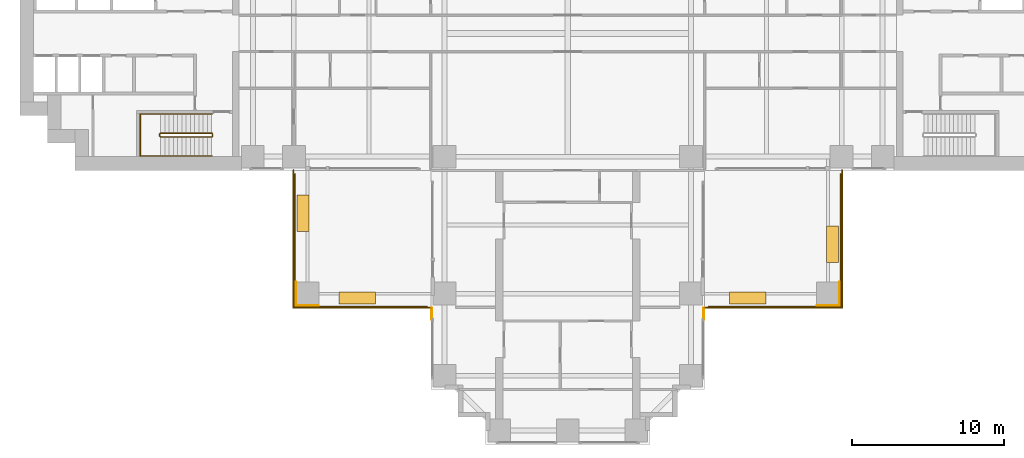
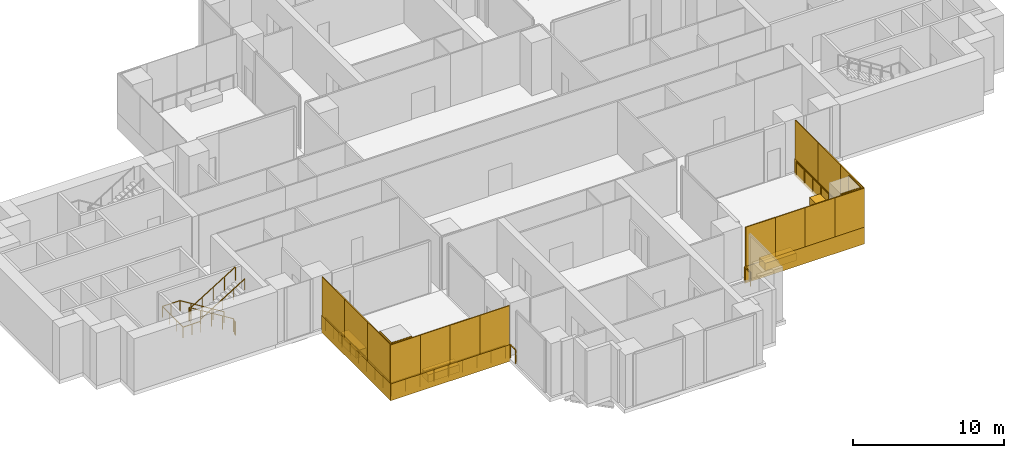
# One storey, part 13 of 15: 24 coverings, 6 railings.
"""IFC4 building model written with IfcOpenShell, lengths in metres."""

from ifc_helpers import new_model, si_unit, direction, frame, origin, origin_2d, place, context, subcontext, project, spatial, polyline, rectangle, outline, extrude, material, layer, layer_set, type_object, element, save


model = new_model("IFC4")

# Units and contexts
model_context = context("Model", 3, precision=1e-05, world=origin(), true_north=direction((0.0, 1.0)))
body_context = subcontext(model_context, "Body", "Model", "MODEL_VIEW")
ifc_project = project(units=[si_unit("LENGTHUNIT", "METRE"), si_unit("AREAUNIT", "SQUARE_METRE"), si_unit("VOLUMEUNIT", "CUBIC_METRE"), si_unit("PLANEANGLEUNIT", "RADIAN"), si_unit("MASSUNIT", "GRAM", prefix="KILO")], contexts=[model_context])

# Site, building, storey
site_placement = place(None, origin())
site = spatial("IfcSite", under=ifc_project, at=site_placement, CompositionType="ELEMENT")
building_placement = place(site_placement, origin())
building = spatial("IfcBuilding", under=site, at=building_placement, Name="Perihelion Cross Residences", CompositionType="ELEMENT")
storey_placement = place(building_placement, frame((0.0, 0.0, 32.0)))
storey = spatial("IfcBuildingStorey", under=building, at=storey_placement, Name="L04", CompositionType="ELEMENT", Elevation=32.0)

# Railings
ifc_material_1 = material(Name="Bronze anodised aluminium", Category="aluminium")
railing_type_1 = type_object("IfcRailingType", Name="Balcony guard 1100", PredefinedType="GUARDRAIL", material=ifc_material_1)
railing_1_placement = place(storey_placement, frame((17.93994140625, -9.25, 0.0)))
element("IfcRailing", 1, at=railing_1_placement, inside=storey, type_object=railing_type_1, Name="Guard GU1 L04 pocket south-east 1", PredefinedType="GUARDRAIL", context=body_context, shape_type="SweptSolid", body=[
    extrude(rectangle(XDim=0.048095703125, YDim=0.048095703125, at=origin_2d()), frame((0.0, 0.0, 1.076171875), z_axis=(0.0, -1.0, 0.0), x_axis=(1.0, 0.0, 0.0)), (0.0, 0.0, 1.0), 8.68994140625),
    extrude(rectangle(XDim=0.048095703125, YDim=0.048095703125, at=origin_2d()), frame((0.0, -8.68994140625, 1.076171875), z_axis=(-1.0, 0.0, 0.0), x_axis=(0.0, -1.0, 0.0)), (0.0, 0.0, 1.0), 8.68994140625),
    extrude(rectangle(XDim=0.0419921875, YDim=0.0419921875, at=origin_2d()), origin(), (0.0, 0.0, 1.0), 1.052001953125),
    extrude(rectangle(XDim=0.0419921875, YDim=0.0419921875, at=origin_2d()), frame((0.0, -1.086181640625, 0.0)), (0.0, 0.0, 1.0), 1.052001953125),
    extrude(rectangle(XDim=0.0419921875, YDim=0.0419921875, at=origin_2d()), frame((0.0, -2.17236328125, 0.0)), (0.0, 0.0, 1.0), 1.052001953125),
    extrude(rectangle(XDim=0.0419921875, YDim=0.0419921875, at=origin_2d()), frame((0.0, -3.2587890625, 0.0)), (0.0, 0.0, 1.0), 1.052001953125),
    extrude(rectangle(XDim=0.0419921875, YDim=0.0419921875, at=origin_2d()), frame((0.0, -4.344970703125, 0.0)), (0.0, 0.0, 1.0), 1.052001953125),
    extrude(rectangle(XDim=0.0419921875, YDim=0.0419921875, at=origin_2d()), frame((0.0, -5.43115234375, 0.0)), (0.0, 0.0, 1.0), 1.052001953125),
    extrude(rectangle(XDim=0.0419921875, YDim=0.0419921875, at=origin_2d()), frame((0.0, -6.517578125, 0.0)), (0.0, 0.0, 1.0), 1.052001953125),
    extrude(rectangle(XDim=0.0419921875, YDim=0.0419921875, at=origin_2d()), frame((0.0, -7.603759765625, 0.0)), (0.0, 0.0, 1.0), 1.052001953125),
    extrude(rectangle(XDim=0.0419921875, YDim=0.0419921875, at=origin_2d()), frame((0.0, -8.68994140625, 0.0)), (0.0, 0.0, 1.0), 1.052001953125),
    extrude(rectangle(XDim=0.0419921875, YDim=0.0419921875, at=origin_2d()), frame((-1.086181640625, -8.68994140625, 0.0)), (0.0, 0.0, 1.0), 1.052001953125),
    extrude(rectangle(XDim=0.0419921875, YDim=0.0419921875, at=origin_2d()), frame((-2.17236328125, -8.68994140625, 0.0)), (0.0, 0.0, 1.0), 1.052001953125),
    extrude(rectangle(XDim=0.0419921875, YDim=0.0419921875, at=origin_2d()), frame((-3.2587890625, -8.68994140625, 0.0)), (0.0, 0.0, 1.0), 1.052001953125),
    extrude(rectangle(XDim=0.0419921875, YDim=0.0419921875, at=origin_2d()), frame((-4.344970703125, -8.68994140625, 0.0)), (0.0, 0.0, 1.0), 1.052001953125),
    extrude(rectangle(XDim=0.0419921875, YDim=0.0419921875, at=origin_2d()), frame((-5.43115234375, -8.68994140625, 0.0)), (0.0, 0.0, 1.0), 1.052001953125),
    extrude(rectangle(XDim=0.0419921875, YDim=0.0419921875, at=origin_2d()), frame((-6.517578125, -8.68994140625, 0.0)), (0.0, 0.0, 1.0), 1.052001953125),
    extrude(rectangle(XDim=0.0419921875, YDim=0.0419921875, at=origin_2d()), frame((-7.603759765625, -8.68994140625, 0.0)), (0.0, 0.0, 1.0), 1.052001953125),
    extrude(rectangle(XDim=0.0419921875, YDim=0.0419921875, at=origin_2d()), frame((-8.68994140625, -8.68994140625, 0.0)), (0.0, 0.0, 1.0), 1.052001953125),
])
railing_2_placement = place(storey_placement, frame((-9.25, -17.93994140625, 0.0)))
element("IfcRailing", 2, at=railing_2_placement, inside=storey, type_object=railing_type_1, Name="Guard GU1 L04 pocket south-west 1", PredefinedType="GUARDRAIL", context=body_context, shape_type="SweptSolid", body=[
    extrude(rectangle(XDim=0.048095703125, YDim=0.048095703125, at=origin_2d()), frame((0.0, 0.0, 1.076171875), z_axis=(-1.0, 0.0, 0.0), x_axis=(0.0, -1.0, 0.0)), (0.0, 0.0, 1.0), 8.68994140625),
    extrude(rectangle(XDim=0.048095703125, YDim=0.048095703125, at=origin_2d()), frame((-8.68994140625, 0.0, 1.076171875), z_axis=(0.0, 1.0, 0.0), x_axis=(-1.0, 0.0, 0.0)), (0.0, 0.0, 1.0), 8.68994140625),
    extrude(rectangle(XDim=0.0419921875, YDim=0.0419921875, at=origin_2d()), origin(), (0.0, 0.0, 1.0), 1.052001953125),
    extrude(rectangle(XDim=0.0419921875, YDim=0.0419921875, at=origin_2d()), frame((-1.086181640625, 0.0, 0.0)), (0.0, 0.0, 1.0), 1.052001953125),
    extrude(rectangle(XDim=0.0419921875, YDim=0.0419921875, at=origin_2d()), frame((-2.17236328125, 0.0, 0.0)), (0.0, 0.0, 1.0), 1.052001953125),
    extrude(rectangle(XDim=0.0419921875, YDim=0.0419921875, at=origin_2d()), frame((-3.2587890625, 0.0, 0.0)), (0.0, 0.0, 1.0), 1.052001953125),
    extrude(rectangle(XDim=0.0419921875, YDim=0.0419921875, at=origin_2d()), frame((-4.344970703125, 0.0, 0.0)), (0.0, 0.0, 1.0), 1.052001953125),
    extrude(rectangle(XDim=0.0419921875, YDim=0.0419921875, at=origin_2d()), frame((-5.43115234375, 0.0, 0.0)), (0.0, 0.0, 1.0), 1.052001953125),
    extrude(rectangle(XDim=0.0419921875, YDim=0.0419921875, at=origin_2d()), frame((-6.517578125, 0.0, 0.0)), (0.0, 0.0, 1.0), 1.052001953125),
    extrude(rectangle(XDim=0.0419921875, YDim=0.0419921875, at=origin_2d()), frame((-7.603759765625, 0.0, 0.0)), (0.0, 0.0, 1.0), 1.052001953125),
    extrude(rectangle(XDim=0.0419921875, YDim=0.0419921875, at=origin_2d()), frame((-8.68994140625, 0.0, 0.0)), (0.0, 0.0, 1.0), 1.052001953125),
    extrude(rectangle(XDim=0.0419921875, YDim=0.0419921875, at=origin_2d()), frame((-8.68994140625, 1.086181640625, 0.0)), (0.0, 0.0, 1.0), 1.052001953125),
    extrude(rectangle(XDim=0.0419921875, YDim=0.0419921875, at=origin_2d()), frame((-8.68994140625, 2.17236328125, 0.0)), (0.0, 0.0, 1.0), 1.052001953125),
    extrude(rectangle(XDim=0.0419921875, YDim=0.0419921875, at=origin_2d()), frame((-8.68994140625, 3.2587890625, 0.0)), (0.0, 0.0, 1.0), 1.052001953125),
    extrude(rectangle(XDim=0.0419921875, YDim=0.0419921875, at=origin_2d()), frame((-8.68994140625, 4.344970703125, 0.0)), (0.0, 0.0, 1.0), 1.052001953125),
    extrude(rectangle(XDim=0.0419921875, YDim=0.0419921875, at=origin_2d()), frame((-8.68994140625, 5.43115234375, 0.0)), (0.0, 0.0, 1.0), 1.052001953125),
    extrude(rectangle(XDim=0.0419921875, YDim=0.0419921875, at=origin_2d()), frame((-8.68994140625, 6.517578125, 0.0)), (0.0, 0.0, 1.0), 1.052001953125),
    extrude(rectangle(XDim=0.0419921875, YDim=0.0419921875, at=origin_2d()), frame((-8.68994140625, 7.603759765625, 0.0)), (0.0, 0.0, 1.0), 1.052001953125),
    extrude(rectangle(XDim=0.0419921875, YDim=0.0419921875, at=origin_2d()), frame((-8.68994140625, 8.68994140625, 0.0)), (0.0, 0.0, 1.0), 1.052001953125),
])
railing_3_placement = place(storey_placement, frame((-8.93994140625, -18.050048828125, 0.0)))
element("IfcRailing", 3, at=railing_3_placement, inside=storey, type_object=railing_type_1, Name="Guard GU1 L04 edge 1 1 1", PredefinedType="GUARDRAIL", context=body_context, shape_type="SweptSolid", body=[
    extrude(rectangle(XDim=0.048095703125, YDim=0.048095703125, at=origin_2d()), frame((0.0, 0.0, 1.076171875), z_axis=(0.0, -1.0, 0.0), x_axis=(1.0, 0.0, 0.0)), (0.0, 0.0, 1.0), 0.75),
    extrude(rectangle(XDim=0.0419921875, YDim=0.0419921875, at=origin_2d()), origin(), (0.0, 0.0, 1.0), 1.052001953125),
    extrude(rectangle(XDim=0.0419921875, YDim=0.0419921875, at=origin_2d()), frame((0.0, -0.75, 0.0)), (0.0, 0.0, 1.0), 1.052001953125),
])
railing_4_placement = place(storey_placement, frame((8.93994140625, -18.800048828125, 0.0)))
element("IfcRailing", 4, at=railing_4_placement, inside=storey, type_object=railing_type_1, Name="Guard GU1 L04 edge 1 1 6", PredefinedType="GUARDRAIL", context=body_context, shape_type="SweptSolid", body=[
    extrude(rectangle(XDim=0.048095703125, YDim=0.048095703125, at=origin_2d()), frame((0.0, 0.0, 1.076171875), z_axis=(0.0, 1.0, 0.0), x_axis=(-1.0, 0.0, 0.0)), (0.0, 0.0, 1.0), 0.75),
    extrude(rectangle(XDim=0.0419921875, YDim=0.0419921875, at=origin_2d()), origin(), (0.0, 0.0, 1.0), 1.052001953125),
    extrude(rectangle(XDim=0.0419921875, YDim=0.0419921875, at=origin_2d()), frame((0.0, 0.75, 0.0)), (0.0, 0.0, 1.0), 1.052001953125),
])

# Coverings
ifc_material_2 = material(Name="Bronze anodised aluminium", Category="aluminium")
ifc_layer_1 = layer(ifc_material_2, 0.0400390625)
ifc_layer_set_1 = layer_set([ifc_layer_1], Name="Bronze column casing 40")
covering_type_1 = type_object("IfcCoveringType", Name="Bronze column casing 40", PredefinedType="CLADDING", material=ifc_layer_set_1)
covering_1_placement = place(storey_placement, frame((-17.8701171875, -17.10009765625, -0.2998046875), z_axis=(0.0, 0.0, 1.0), x_axis=(1.0, 0.0, 0.0)))
element("IfcCovering", 5, at=covering_1_placement, inside=storey, type_object=covering_type_1, Name="Cladding CC1 L04 casing east-west no. 1", PredefinedType="CLADDING", context=body_context, shape_type="SweptSolid", body=[
    extrude(rectangle(XDim=0.0400390625, YDim=1.580078125, at=origin_2d()), origin(), (0.0, 0.0, 1.0), 4.550048828125),
])
covering_2_placement = place(storey_placement, frame((-17.10009765625, -17.8701171875, -0.2998046875), z_axis=(0.0, 0.0, 1.0), x_axis=(1.0, 0.0, 0.0)))
element("IfcCovering", 6, at=covering_2_placement, inside=storey, type_object=covering_type_1, Name="Cladding CC1 L04 casing north-south no. 1", PredefinedType="CLADDING", context=body_context, shape_type="SweptSolid", body=[
    extrude(rectangle(XDim=1.5, YDim=0.0400390625, at=origin_2d()), origin(), (0.0, 0.0, 1.0), 4.550048828125),
])
covering_3_placement = place(storey_placement, frame((17.8701171875, -17.10009765625, -0.2998046875), z_axis=(0.0, 0.0, 1.0), x_axis=(1.0, 0.0, 0.0)))
element("IfcCovering", 7, at=covering_3_placement, inside=storey, type_object=covering_type_1, Name="Cladding CC1 L04 casing east-west no. 3", PredefinedType="CLADDING", context=body_context, shape_type="SweptSolid", body=[
    extrude(rectangle(XDim=0.0400390625, YDim=1.580078125, at=origin_2d()), origin(), (0.0, 0.0, 1.0), 4.550048828125),
])
covering_4_placement = place(storey_placement, frame((17.10009765625, -17.8701171875, -0.2998046875), z_axis=(0.0, 0.0, 1.0), x_axis=(1.0, 0.0, 0.0)))
element("IfcCovering", 8, at=covering_4_placement, inside=storey, type_object=covering_type_1, Name="Cladding CC1 L04 casing north-south no. 3", PredefinedType="CLADDING", context=body_context, shape_type="SweptSolid", body=[
    extrude(rectangle(XDim=1.5, YDim=0.0400390625, at=origin_2d()), origin(), (0.0, 0.0, 1.0), 4.550048828125),
])
ifc_material_3 = material(Name="Precast concrete C40/50", Category="concrete")
covering_type_2 = type_object("IfcCoveringType", Name="Planter box 2400", PredefinedType="USERDEFINED", material=ifc_material_3)
for number, where, z_axis, x_axis, name in (
    (9, (17.389892578125, -13.85009765625, 0.0), (0.0, 0.0, 1.0), (0.0, -1.0, 0.0), "Planter PT1 L04 pocket south-east 1"),
    (10, (11.830078125, -17.389892578125, 0.0), (0.0, 0.0, 1.0), (-1.0, 0.0, 0.0), "Planter PT1 L04 pocket south-east 2"),
    (11, (-13.85009765625, -17.389892578125, 0.0), (0.0, 0.0, 1.0), (-1.0, 0.0, 0.0), "Planter PT1 L04 pocket south-west 1"),
    (12, (-17.389892578125, -11.830078125, 0.0), (0.0, 0.0, 1.0), (0.0, 1.0, 0.0), "Planter PT1 L04 pocket south-west 2"),
):
    element("IfcCovering", number, at=place(storey_placement, frame(where, z_axis=z_axis, x_axis=x_axis)), inside=storey, type_object=covering_type_2, Name=name, ObjectType="PLANTER", PredefinedType="USERDEFINED", context=body_context, shape_type="SweptSolid", body=[
        extrude(rectangle(XDim=2.39990234375, YDim=0.800048828125, at=origin_2d()), origin(), (0.0, 0.0, 1.0), 0.60009765625),
    ])
ifc_material_4 = material(Name="Bronze anodised aluminium", Category="aluminium")
ifc_layer_2 = layer(ifc_material_4, 0.070068359375)
ifc_layer_set_2 = layer_set([ifc_layer_2], Name="Pocket fascia 1350")
covering_type_3 = type_object("IfcCoveringType", Name="Pocket fascia 1350", PredefinedType="CLADDING", material=ifc_layer_set_2)
covering_5_placement = place(storey_placement, frame((0.0, 0.0, -0.25)))
element("IfcCovering", 13, at=covering_5_placement, inside=storey, type_object=covering_type_3, Name="Fascia BF2 L04 pocket south-east 1", PredefinedType="CLADDING", context=body_context, shape_type="SweptSolid", body=[
    extrude(outline(polyline([(8.929931640625, -18.070068359375), (18.070068359375, -18.070068359375), (18.070068359375, -8.929931640625), (18.0, -8.929931640625), (18.0, -9.0), (18.0, -9.0), (18.0, -18.0), (9.0, -18.0), (9.0, -18.0), (8.929931640625, -18.0), (8.929931640625, -18.070068359375)])), origin(), (0.0, 0.0, 1.0), 1.35009765625),
])
covering_6_placement = place(storey_placement, frame((0.0, 0.0, -0.25)))
element("IfcCovering", 14, at=covering_6_placement, inside=storey, type_object=covering_type_3, Name="Fascia BF2 L04 pocket south-west 1", PredefinedType="CLADDING", context=body_context, shape_type="SweptSolid", body=[
    extrude(outline(polyline([(-18.070068359375, -18.070068359375), (-8.929931640625, -18.070068359375), (-8.929931640625, -18.0), (-9.0, -18.0), (-9.0, -18.0), (-18.0, -18.0), (-18.0, -9.0), (-18.0, -9.0), (-18.0, -8.929931640625), (-18.070068359375, -8.929931640625), (-18.070068359375, -18.070068359375)])), origin(), (0.0, 0.0, 1.0), 1.35009765625),
])
ifc_material_5 = material(Name="Bronze perforated aluminium", Category="aluminium")
ifc_layer_3 = layer(ifc_material_5, 0.070068359375)
ifc_layer_set_3 = layer_set([ifc_layer_3], Name="Pocket solar screen, bronze perforated")
covering_type_4 = type_object("IfcCoveringType", Name="Pocket solar screen, bronze perforated", PredefinedType="CLADDING", material=ifc_layer_set_3)
covering_7_placement = place(storey_placement, frame((0.0, 0.0, 1.10009765625)))
element("IfcCovering", 15, at=covering_7_placement, inside=storey, type_object=covering_type_4, Name="Solar screen PS1 L04 pocket south-east no. 1", PredefinedType="CLADDING", context=body_context, shape_type="SweptSolid", body=[
    extrude(outline(polyline([(18.070068359375, -18.0), (18.070068359375, -15.0), (18.0, -15.0), (18.0, -18.0), (18.070068359375, -18.0)])), origin(), (0.0, 0.0, 1.0), 3.14990234375),
])
covering_8_placement = place(storey_placement, frame((0.0, 0.0, 1.10009765625)))
element("IfcCovering", 16, at=covering_8_placement, inside=storey, type_object=covering_type_4, Name="Solar screen PS1 L04 pocket south-east no. 2", PredefinedType="CLADDING", context=body_context, shape_type="SweptSolid", body=[
    extrude(outline(polyline([(18.070068359375, -15.0), (18.070068359375, -12.0), (18.0, -12.0), (18.0, -15.0), (18.070068359375, -15.0)])), origin(), (0.0, 0.0, 1.0), 3.14990234375),
])
covering_9_placement = place(storey_placement, frame((0.0, 0.0, 1.10009765625)))
element("IfcCovering", 17, at=covering_9_placement, inside=storey, type_object=covering_type_4, Name="Solar screen PS1 L04 pocket south-east no. 3", PredefinedType="CLADDING", context=body_context, shape_type="SweptSolid", body=[
    extrude(outline(polyline([(18.070068359375, -12.0), (18.070068359375, -9.0), (18.0, -9.0), (18.0, -12.0), (18.070068359375, -12.0)])), origin(), (0.0, 0.0, 1.0), 3.14990234375),
])
covering_10_placement = place(storey_placement, frame((0.0, 0.0, 1.10009765625)))
element("IfcCovering", 18, at=covering_10_placement, inside=storey, type_object=covering_type_4, Name="Solar screen PS1 L04 pocket south-east no. 4", PredefinedType="CLADDING", context=body_context, shape_type="SweptSolid", body=[
    extrude(outline(polyline([(11.267578125, -18.070068359375), (11.267578125, -18.0), (9.0, -18.0), (9.0, -18.070068359375), (11.267578125, -18.070068359375)])), origin(), (0.0, 0.0, 1.0), 3.14990234375),
])
covering_11_placement = place(storey_placement, frame((0.0, 0.0, 1.10009765625)))
element("IfcCovering", 19, at=covering_11_placement, inside=storey, type_object=covering_type_4, Name="Solar screen PS1 L04 pocket south-east no. 5", PredefinedType="CLADDING", context=body_context, shape_type="SweptSolid", body=[
    extrude(outline(polyline([(13.534912109375, -18.070068359375), (13.534912109375, -18.0), (11.267578125, -18.0), (11.267578125, -18.070068359375), (13.534912109375, -18.070068359375)])), origin(), (0.0, 0.0, 1.0), 3.14990234375),
])
covering_12_placement = place(storey_placement, frame((0.0, 0.0, 1.10009765625)))
element("IfcCovering", 20, at=covering_12_placement, inside=storey, type_object=covering_type_4, Name="Solar screen PS1 L04 pocket south-east no. 6", PredefinedType="CLADDING", context=body_context, shape_type="SweptSolid", body=[
    extrude(outline(polyline([(15.802490234375, -18.070068359375), (15.802490234375, -18.0), (13.534912109375, -18.0), (13.534912109375, -18.070068359375), (15.802490234375, -18.070068359375)])), origin(), (0.0, 0.0, 1.0), 3.14990234375),
])
covering_13_placement = place(storey_placement, frame((0.0, 0.0, 1.10009765625)))
element("IfcCovering", 21, at=covering_13_placement, inside=storey, type_object=covering_type_4, Name="Solar screen PS1 L04 pocket south-east no. 7", PredefinedType="CLADDING", context=body_context, shape_type="SweptSolid", body=[
    extrude(outline(polyline([(18.070068359375, -18.070068359375), (18.070068359375, -18.0), (15.802490234375, -18.0), (15.802490234375, -18.070068359375), (18.070068359375, -18.070068359375)])), origin(), (0.0, 0.0, 1.0), 3.14990234375),
])
covering_14_placement = place(storey_placement, frame((0.0, 0.0, 1.10009765625)))
element("IfcCovering", 22, at=covering_14_placement, inside=storey, type_object=covering_type_4, Name="Solar screen PS1 L04 pocket south-west no. 1", PredefinedType="CLADDING", context=body_context, shape_type="SweptSolid", body=[
    extrude(outline(polyline([(-18.0, -18.0), (-18.0, -15.0), (-18.070068359375, -15.0), (-18.070068359375, -18.0), (-18.0, -18.0)])), origin(), (0.0, 0.0, 1.0), 3.14990234375),
])
covering_15_placement = place(storey_placement, frame((0.0, 0.0, 1.10009765625)))
element("IfcCovering", 23, at=covering_15_placement, inside=storey, type_object=covering_type_4, Name="Solar screen PS1 L04 pocket south-west no. 2", PredefinedType="CLADDING", context=body_context, shape_type="SweptSolid", body=[
    extrude(outline(polyline([(-18.0, -15.0), (-18.0, -12.0), (-18.070068359375, -12.0), (-18.070068359375, -15.0), (-18.0, -15.0)])), origin(), (0.0, 0.0, 1.0), 3.14990234375),
])
covering_16_placement = place(storey_placement, frame((0.0, 0.0, 1.10009765625)))
element("IfcCovering", 24, at=covering_16_placement, inside=storey, type_object=covering_type_4, Name="Solar screen PS1 L04 pocket south-west no. 3", PredefinedType="CLADDING", context=body_context, shape_type="SweptSolid", body=[
    extrude(outline(polyline([(-18.0, -12.0), (-18.0, -9.0), (-18.070068359375, -9.0), (-18.070068359375, -12.0), (-18.0, -12.0)])), origin(), (0.0, 0.0, 1.0), 3.14990234375),
])
covering_17_placement = place(storey_placement, frame((0.0, 0.0, 1.10009765625)))
element("IfcCovering", 25, at=covering_17_placement, inside=storey, type_object=covering_type_4, Name="Solar screen PS1 L04 pocket south-west no. 4", PredefinedType="CLADDING", context=body_context, shape_type="SweptSolid", body=[
    extrude(outline(polyline([(-15.802490234375, -18.070068359375), (-15.802490234375, -18.0), (-18.070068359375, -18.0), (-18.070068359375, -18.070068359375), (-15.802490234375, -18.070068359375)])), origin(), (0.0, 0.0, 1.0), 3.14990234375),
])
covering_18_placement = place(storey_placement, frame((0.0, 0.0, 1.10009765625)))
element("IfcCovering", 26, at=covering_18_placement, inside=storey, type_object=covering_type_4, Name="Solar screen PS1 L04 pocket south-west no. 5", PredefinedType="CLADDING", context=body_context, shape_type="SweptSolid", body=[
    extrude(outline(polyline([(-13.534912109375, -18.070068359375), (-13.534912109375, -18.0), (-15.802490234375, -18.0), (-15.802490234375, -18.070068359375), (-13.534912109375, -18.070068359375)])), origin(), (0.0, 0.0, 1.0), 3.14990234375),
])
covering_19_placement = place(storey_placement, frame((0.0, 0.0, 1.10009765625)))
element("IfcCovering", 27, at=covering_19_placement, inside=storey, type_object=covering_type_4, Name="Solar screen PS1 L04 pocket south-west no. 6", PredefinedType="CLADDING", context=body_context, shape_type="SweptSolid", body=[
    extrude(outline(polyline([(-11.267578125, -18.070068359375), (-11.267578125, -18.0), (-13.534912109375, -18.0), (-13.534912109375, -18.070068359375), (-11.267578125, -18.070068359375)])), origin(), (0.0, 0.0, 1.0), 3.14990234375),
])
covering_20_placement = place(storey_placement, frame((0.0, 0.0, 1.10009765625)))
element("IfcCovering", 28, at=covering_20_placement, inside=storey, type_object=covering_type_4, Name="Solar screen PS1 L04 pocket south-west no. 7", PredefinedType="CLADDING", context=body_context, shape_type="SweptSolid", body=[
    extrude(outline(polyline([(-9.0, -18.070068359375), (-9.0, -18.0), (-11.267578125, -18.0), (-11.267578125, -18.070068359375), (-9.0, -18.070068359375)])), origin(), (0.0, 0.0, 1.0), 3.14990234375),
])

# Railings
ifc_material_6 = material(Name="Stainless steel", Category="steel")
railing_type_2 = type_object("IfcRailingType", Name="Stair guard 1100", PredefinedType="GUARDRAIL", material=ifc_material_6)
railing_5_placement = place(storey_placement, frame((-23.35009765625, -6.75, 0.0)))
element("IfcRailing", 29, at=railing_5_placement, inside=storey, type_object=railing_type_2, Name="L04 ST-W2 stair guard 1", PredefinedType="GUARDRAIL", context=body_context, shape_type="SweptSolid", body=[
    extrude(rectangle(XDim=0.048095703125, YDim=0.048095703125, at=origin_2d()), frame((0.0, 0.0, 1.076171875), z_axis=(0.0, 1.0, 0.0), x_axis=(-1.0, 0.0, 0.0)), (0.0, 0.0, 1.0), 0.14990234375),
    extrude(rectangle(XDim=0.048095703125, YDim=0.048095703125, at=origin_2d()), frame((0.0, 0.14990234375, 1.076171875), z_axis=(-0.266417085129, 0.267723051232, 0.925929967433), x_axis=(-0.708833529934, -0.705375805398, 0.0)), (0.0, 0.0, 1.0), 0.18701171875),
    extrude(rectangle(XDim=0.048095703125, YDim=0.048095703125, at=origin_2d()), frame((-0.0498046875, 0.199951171875, 1.2490234375), z_axis=(-0.850623216509, 0.0, 0.525775754039), x_axis=(0.0, -1.0, 0.0)), (0.0, 0.0, 1.0), 3.9501953125),
    extrude(rectangle(XDim=0.048095703125, YDim=0.048095703125, at=origin_2d()), frame((-3.409912109375, 0.199951171875, 3.326171875), z_axis=(-0.707106781187, -0.707106781187, 0.0), x_axis=(0.707106781187, -0.707106781187, 0.0)), (0.0, 0.0, 1.0), 0.07080078125),
    extrude(rectangle(XDim=0.048095703125, YDim=0.048095703125, at=origin_2d()), frame((-3.4599609375, 0.14990234375, 3.326171875), z_axis=(0.0, -1.0, 0.0), x_axis=(1.0, 0.0, 0.0)), (0.0, 0.0, 1.0), 0.14990234375),
    extrude(rectangle(XDim=0.048095703125, YDim=0.048095703125, at=origin_2d()), frame((-3.4599609375, 0.0, 3.326171875), z_axis=(0.267629722418, -0.267629722418, 0.925607186314), x_axis=(0.707106781187, 0.707106781187, 0.0)), (0.0, 0.0, 1.0), 0.18701171875),
    extrude(rectangle(XDim=0.048095703125, YDim=0.048095703125, at=origin_2d()), frame((-3.409912109375, -0.050048828125, 3.4990234375), z_axis=(0.850623216509, 0.0, 0.525775754039), x_axis=(0.0, 1.0, 0.0)), (0.0, 0.0, 1.0), 3.9501953125),
    extrude(rectangle(XDim=0.0419921875, YDim=0.0419921875, at=origin_2d()), origin(), (0.0, 0.0, 1.0), 1.052001953125),
    extrude(rectangle(XDim=0.0419921875, YDim=0.0419921875, at=origin_2d()), frame((0.0, 0.14990234375, 0.0)), (0.0, 0.0, 1.0), 1.052001953125),
    extrude(rectangle(XDim=0.0419921875, YDim=0.0419921875, at=origin_2d()), frame((-0.0498046875, 0.199951171875, 0.173095703125)), (0.0, 0.0, 1.0), 1.052001953125),
    extrude(rectangle(XDim=0.0419921875, YDim=0.0419921875, at=origin_2d()), frame((-0.889892578125, 0.199951171875, 0.6923828125)), (0.0, 0.0, 1.0), 1.052001953125),
    extrude(rectangle(XDim=0.0419921875, YDim=0.0419921875, at=origin_2d()), frame((-1.72998046875, 0.199951171875, 1.21142578125)), (0.0, 0.0, 1.0), 1.052001953125),
    extrude(rectangle(XDim=0.0419921875, YDim=0.0419921875, at=origin_2d()), frame((-2.56982421875, 0.199951171875, 1.730712890625)), (0.0, 0.0, 1.0), 1.052001953125),
    extrude(rectangle(XDim=0.0419921875, YDim=0.0419921875, at=origin_2d()), frame((-3.409912109375, 0.199951171875, 2.25)), (0.0, 0.0, 1.0), 1.052001953125),
    extrude(rectangle(XDim=0.0419921875, YDim=0.0419921875, at=origin_2d()), frame((-3.4599609375, 0.14990234375, 2.25)), (0.0, 0.0, 1.0), 1.052001953125),
    extrude(rectangle(XDim=0.0419921875, YDim=0.0419921875, at=origin_2d()), frame((-3.4599609375, 0.0, 2.25)), (0.0, 0.0, 1.0), 1.052001953125),
    extrude(rectangle(XDim=0.0419921875, YDim=0.0419921875, at=origin_2d()), frame((-3.409912109375, -0.050048828125, 2.423095703125)), (0.0, 0.0, 1.0), 1.052001953125),
    extrude(rectangle(XDim=0.0419921875, YDim=0.0419921875, at=origin_2d()), frame((-2.56982421875, -0.050048828125, 2.9423828125)), (0.0, 0.0, 1.0), 1.052001953125),
    extrude(rectangle(XDim=0.0419921875, YDim=0.0419921875, at=origin_2d()), frame((-1.72998046875, -0.050048828125, 3.46142578125)), (0.0, 0.0, 1.0), 1.052001953125),
    extrude(rectangle(XDim=0.0419921875, YDim=0.0419921875, at=origin_2d()), frame((-0.889892578125, -0.050048828125, 3.980712890625)), (0.0, 0.0, 1.0), 1.052001953125),
    extrude(rectangle(XDim=0.0419921875, YDim=0.0419921875, at=origin_2d()), frame((-0.0498046875, -0.050048828125, 4.5)), (0.0, 0.0, 1.0), 1.052001953125),
])
ifc_material_7 = material(Name="Stainless steel", Category="steel")
railing_type_3 = type_object("IfcRailingType", Name="Stair handrail 900", PredefinedType="HANDRAIL", material=ifc_material_7)
railing_6_placement = place(storey_placement, frame((-23.39990234375, -5.300048828125, 0.173095703125)))
element("IfcRailing", 30, at=railing_6_placement, inside=storey, type_object=railing_type_3, Name="L04 ST-W2 stair handrail 1", PredefinedType="HANDRAIL", context=body_context, shape_type="SweptSolid", body=[
    extrude(rectangle(XDim=0.048095703125, YDim=0.048095703125, at=origin_2d()), frame((0.0, 0.0, 0.8759765625), z_axis=(-0.850623216509, 0.0, 0.525775754039), x_axis=(0.0, -1.0, 0.0)), (0.0, 0.0, 1.0), 3.9501953125),
    extrude(rectangle(XDim=0.048095703125, YDim=0.048095703125, at=origin_2d()), frame((-3.360107421875, 0.0, 2.95263671875), z_axis=(-1.0, 0.0, 0.0), x_axis=(0.0, -1.0, 0.0)), (0.0, 0.0, 1.0), 1.340087890625),
    extrude(rectangle(XDim=0.048095703125, YDim=0.048095703125, at=origin_2d()), frame((-4.7001953125, 0.0, 2.95263671875), z_axis=(0.0, -1.0, 0.0), x_axis=(1.0, 0.0, 0.0)), (0.0, 0.0, 1.0), 2.75),
    extrude(rectangle(XDim=0.048095703125, YDim=0.048095703125, at=origin_2d()), frame((-4.7001953125, -2.75, 2.95263671875), z_axis=(1.0, 0.0, 0.0), x_axis=(0.0, 1.0, 0.0)), (0.0, 0.0, 1.0), 1.340087890625),
    extrude(rectangle(XDim=0.048095703125, YDim=0.048095703125, at=origin_2d()), frame((-3.360107421875, -2.75, 2.95263671875), z_axis=(0.0, 0.0, 1.0), x_axis=(1.0, 0.0, 0.0)), (0.0, 0.0, 1.0), 0.173095703125),
    extrude(rectangle(XDim=0.048095703125, YDim=0.048095703125, at=origin_2d()), frame((-3.360107421875, -2.75, 3.1259765625), z_axis=(0.850623216509, 0.0, 0.525775754039), x_axis=(0.0, 1.0, 0.0)), (0.0, 0.0, 1.0), 3.9501953125),
    extrude(rectangle(XDim=0.0419921875, YDim=0.0419921875, at=origin_2d()), origin(), (0.0, 0.0, 1.0), 0.851806640625),
    extrude(rectangle(XDim=0.0419921875, YDim=0.0419921875, at=origin_2d()), frame((-0.840087890625, 0.0, 0.519287109375)), (0.0, 0.0, 1.0), 0.851806640625),
    extrude(rectangle(XDim=0.0419921875, YDim=0.0419921875, at=origin_2d()), frame((-1.68017578125, 0.0, 1.03857421875)), (0.0, 0.0, 1.0), 0.851806640625),
    extrude(rectangle(XDim=0.0419921875, YDim=0.0419921875, at=origin_2d()), frame((-2.52001953125, 0.0, 1.5576171875)), (0.0, 0.0, 1.0), 0.851806640625),
    extrude(rectangle(XDim=0.0419921875, YDim=0.0419921875, at=origin_2d()), frame((-3.360107421875, 0.0, 2.076904296875)), (0.0, 0.0, 1.0), 0.851806640625),
    extrude(rectangle(XDim=0.0419921875, YDim=0.0419921875, at=origin_2d()), frame((-4.0302734375, 0.0, 2.076904296875)), (0.0, 0.0, 1.0), 0.851806640625),
    extrude(rectangle(XDim=0.0419921875, YDim=0.0419921875, at=origin_2d()), frame((-4.7001953125, 0.0, 2.076904296875)), (0.0, 0.0, 1.0), 0.851806640625),
    extrude(rectangle(XDim=0.0419921875, YDim=0.0419921875, at=origin_2d()), frame((-4.7001953125, -0.916748046875, 2.076904296875)), (0.0, 0.0, 1.0), 0.851806640625),
    extrude(rectangle(XDim=0.0419921875, YDim=0.0419921875, at=origin_2d()), frame((-4.7001953125, -1.833251953125, 2.076904296875)), (0.0, 0.0, 1.0), 0.851806640625),
    extrude(rectangle(XDim=0.0419921875, YDim=0.0419921875, at=origin_2d()), frame((-4.7001953125, -2.75, 2.076904296875)), (0.0, 0.0, 1.0), 0.851806640625),
    extrude(rectangle(XDim=0.0419921875, YDim=0.0419921875, at=origin_2d()), frame((-4.0302734375, -2.75, 2.076904296875)), (0.0, 0.0, 1.0), 0.851806640625),
    extrude(rectangle(XDim=0.0419921875, YDim=0.0419921875, at=origin_2d()), frame((-3.360107421875, -2.75, 2.076904296875)), (0.0, 0.0, 1.0), 0.851806640625),
    extrude(rectangle(XDim=0.0419921875, YDim=0.0419921875, at=origin_2d()), frame((-3.360107421875, -2.75, 2.25)), (0.0, 0.0, 1.0), 0.851806640625),
    extrude(rectangle(XDim=0.0419921875, YDim=0.0419921875, at=origin_2d()), frame((-2.52001953125, -2.75, 2.769287109375)), (0.0, 0.0, 1.0), 0.851806640625),
    extrude(rectangle(XDim=0.0419921875, YDim=0.0419921875, at=origin_2d()), frame((-1.68017578125, -2.75, 3.28857421875)), (0.0, 0.0, 1.0), 0.851806640625),
    extrude(rectangle(XDim=0.0419921875, YDim=0.0419921875, at=origin_2d()), frame((-0.840087890625, -2.75, 3.8076171875)), (0.0, 0.0, 1.0), 0.851806640625),
    extrude(rectangle(XDim=0.0419921875, YDim=0.0419921875, at=origin_2d()), frame((0.0, -2.75, 4.326904296875)), (0.0, 0.0, 1.0), 0.851806640625),
])

save(model, "model.ifc")
